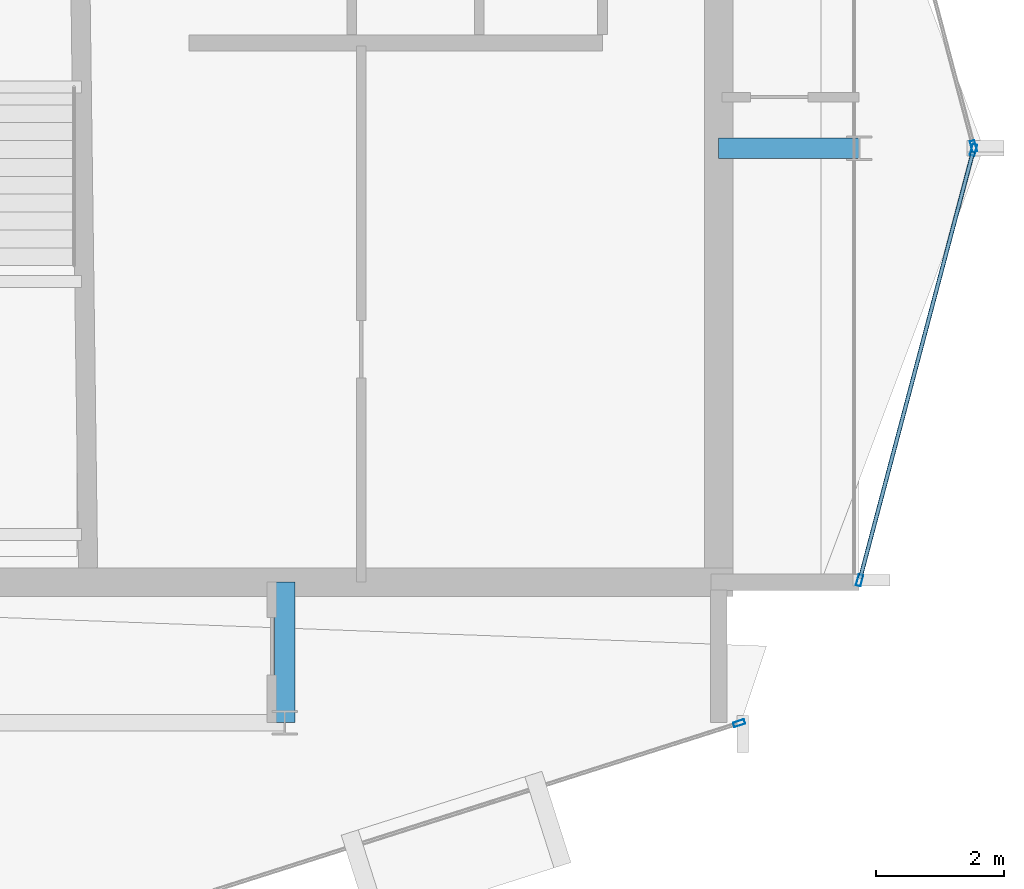
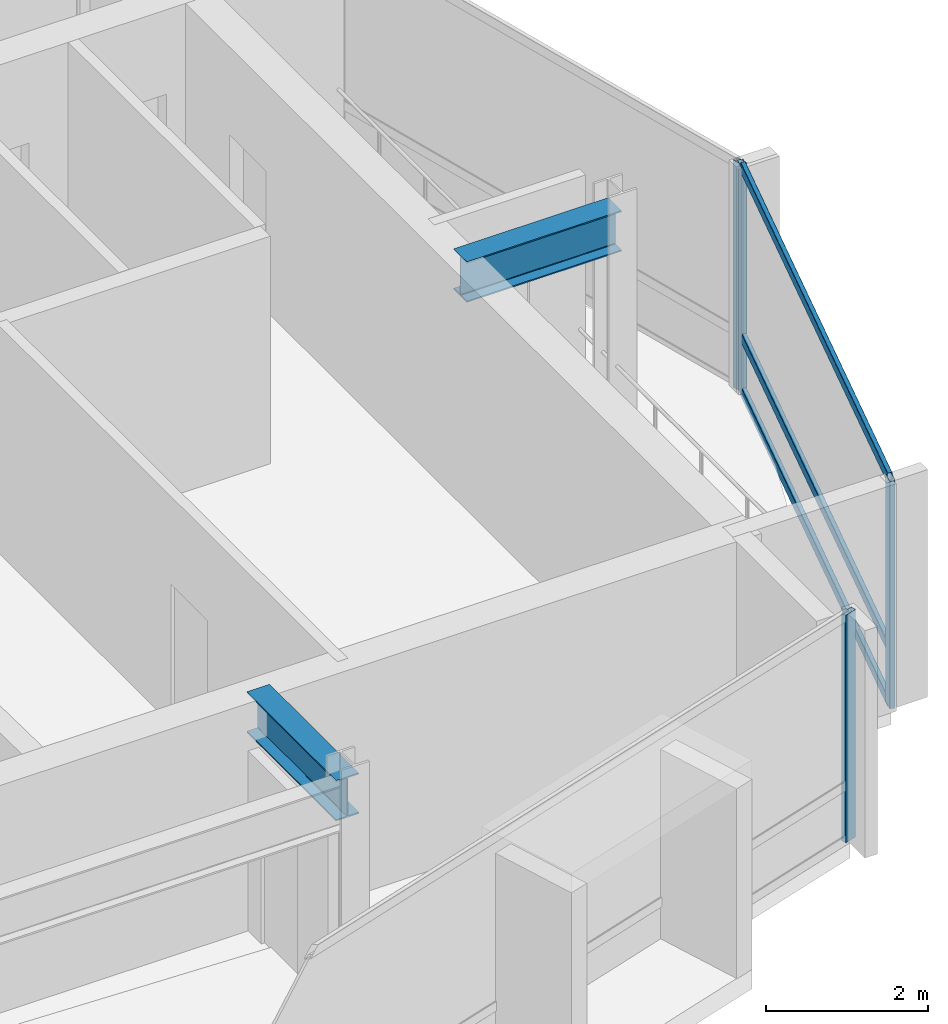
# One storey, part 9 of 19: 7 members, 2 beams, 3 elements without a shape of their own.
"""IFC4 building model written with IfcOpenShell, lengths in metres."""

from ifc_helpers import new_model, si_unit, direction, frame, origin, origin_2d, place, context, subcontext, project, spatial, hollow_rectangle, i_section, extrude, material, layer, layer_set, material_profile, profile_set, type_object, element, aggregate, save


model = new_model("IFC4")

# Units and contexts
model_context = context("Model", 3, precision=1e-05, world=origin(), true_north=direction((0.0, 1.0)))
body_context = subcontext(model_context, "Body", "Model", "MODEL_VIEW")
ifc_project = project(units=[si_unit("LENGTHUNIT", "METRE"), si_unit("AREAUNIT", "SQUARE_METRE"), si_unit("VOLUMEUNIT", "CUBIC_METRE"), si_unit("PLANEANGLEUNIT", "RADIAN"), si_unit("MASSUNIT", "GRAM", prefix="KILO")], contexts=[model_context])

# Site, building, storey
site_placement = place(None, origin())
site = spatial("IfcSite", under=ifc_project, at=site_placement, CompositionType="ELEMENT")
building_placement = place(site_placement, origin())
building = spatial("IfcBuilding", under=site, at=building_placement, Name="Solvaryn Broadcast Tower", CompositionType="ELEMENT")
storey_placement = place(building_placement, frame((0.0, 0.0, 263.0)))
storey = spatial("IfcBuildingStorey", under=building, at=storey_placement, Name="L66", CompositionType="ELEMENT", Elevation=263.0)

# Beams
ifc_material_1 = material(Name="Steel ASTM A992 Grade 50", Category="steel")
ifc_material_profile_1 = material_profile(ifc_material_1, i_section(OverallWidth=0.323974609375, OverallDepth=0.611083984375, WebThickness=0.0126953125, FlangeThickness=0.01904296875, FilletRadius=0.014892578125, at=origin_2d()))
ifc_profile_set_1 = profile_set([ifc_material_profile_1], Name="Steel ASTM A992 Grade 50")
beam_type = type_object("IfcBeamType", Name="BM-B1-W24X104", PredefinedType="BEAM", material=ifc_profile_set_1)
for number, where, z_axis, x_axis, name in (
    (1, (36.0, 9.0, 3.114501953125), (0.0, 1.0, 0.0), (-1.0, 0.0, 0.0), "L66 Core Tie Beam CTE1"),
    (2, (42.800048828125, 18.0, 3.114501953125), (1.0, 0.0, 0.0), (0.0, 1.0, 0.0), "L66 Core Tie Beam CTE3"),
):
    element("IfcBeam", number, at=place(storey_placement, frame(where, z_axis=z_axis, x_axis=x_axis)), inside=storey, type_object=beam_type, Name=name, PredefinedType="BEAM", context=body_context, shape_type="SweptSolid", body=[
        extrude(i_section(OverallWidth=0.323974609375, OverallDepth=0.611083984375, WebThickness=0.0126953125, FlangeThickness=0.01904296875, FilletRadius=0.014892578125, at=origin_2d()), origin(), (0.0, 0.0, 1.0), 2.199951171875),
    ])

# Curtain wall, member
ifc_material_2 = material(Name="Aluminium and Terracotta Unitised Curtain Wall", Category="masonry")
ifc_layer = layer(ifc_material_2, 0.199951171875)
ifc_layer_set = layer_set([ifc_layer], Name="CW-SYS2-LOWMID")
curtain_wall_type = type_object("IfcCurtainWallType", Name="CW-SYS2-LOWMID", PredefinedType="NOTDEFINED", material=ifc_layer_set)
curtain_wall_1_placement = place(storey_placement, origin())
curtain_wall_1 = element("IfcCurtainWall", 3, at=curtain_wall_1_placement, inside=storey, type_object=curtain_wall_type, Name="L66 Curtain Wall DR4", PredefinedType="NOTDEFINED")
ifc_material_3 = material(Name="Anodised Aluminium 6063-T6", Category="aluminium")
ifc_material_profile_2 = material_profile(ifc_material_3, hollow_rectangle(XDim=0.074951171875, YDim=0.179931640625, WallThickness=0.00390625, InnerFilletRadius=0.00390625, OuterFilletRadius=0.008056640625, at=origin_2d()))
ifc_profile_set_2 = profile_set([ifc_material_profile_2], Name="Anodised Aluminium 6063-T6")
member_type_1 = type_object("IfcMemberType", Name="CW-MUL-180", PredefinedType="MULLION", material=ifc_profile_set_2)
member_1_placement = place(storey_placement, frame((43.120361328125, 8.990966796875, 0.0), z_axis=(0.0, 0.0, 1.0), x_axis=(-0.30361564569, 0.952794594701, 0.0)))
member_1 = element("IfcMember", 4, at=member_1_placement, type_object=member_type_1, Name="CWS2 mullion 2", PredefinedType="MULLION", context=body_context, shape_type="SweptSolid", body=[
    extrude(hollow_rectangle(XDim=0.074951171875, YDim=0.179931640625, WallThickness=0.00390625, InnerFilletRadius=0.00390625, OuterFilletRadius=0.008056640625, at=origin_2d()), origin(), (0.0, 0.0, 1.0), 3.419921875),
])
aggregate(curtain_wall_1, [member_1])

curtain_wall_2_placement = place(storey_placement, origin())
curtain_wall_2 = element("IfcCurtainWall", 5, at=curtain_wall_2_placement, inside=storey, type_object=curtain_wall_type, Name="L66 Curtain Wall ET1", PredefinedType="NOTDEFINED")
member_2_placement = place(storey_placement, frame((46.792236328125, 18.029052734375, 0.0), z_axis=(0.0, 0.0, 1.0), x_axis=(0.966705227863, 0.25589256031, 0.0)))
member_2 = element("IfcMember", 6, at=member_2_placement, type_object=member_type_1, Name="CWS2 mullion 2", PredefinedType="MULLION", context=body_context, shape_type="SweptSolid", body=[
    extrude(hollow_rectangle(XDim=0.074951171875, YDim=0.179931640625, WallThickness=0.00390625, InnerFilletRadius=0.00390625, OuterFilletRadius=0.008056640625, at=origin_2d()), origin(), (0.0, 0.0, 1.0), 3.419921875),
])
aggregate(curtain_wall_2, [member_2])

# Curtain wall, members
curtain_wall_3_placement = place(storey_placement, origin())
curtain_wall_3 = element("IfcCurtainWall", 7, at=curtain_wall_3_placement, inside=storey, type_object=curtain_wall_type, Name="L66 Curtain Wall ET2", PredefinedType="NOTDEFINED")
member_3_placement = place(storey_placement, frame((46.792236328125, 17.970947265625, 0.0), z_axis=(0.0, 0.0, 1.0), x_axis=(0.966705227863, -0.25589256031, 0.0)))
member_3 = element("IfcMember", 8, at=member_3_placement, type_object=member_type_1, Name="CWS2 mullion 1", PredefinedType="MULLION", context=body_context, shape_type="SweptSolid", body=[
    extrude(hollow_rectangle(XDim=0.074951171875, YDim=0.179931640625, WallThickness=0.00390625, InnerFilletRadius=0.00390625, OuterFilletRadius=0.008056640625, at=origin_2d()), origin(), (0.0, 0.0, 1.0), 3.419921875),
])
member_4_placement = place(storey_placement, frame((45.007568359375, 11.22900390625, 0.0), z_axis=(0.0, 0.0, 1.0), x_axis=(0.966705227863, -0.25589256031, 0.0)))
member_4 = element("IfcMember", 9, at=member_4_placement, type_object=member_type_1, Name="CWS2 mullion 2", PredefinedType="MULLION", context=body_context, shape_type="SweptSolid", body=[
    extrude(hollow_rectangle(XDim=0.074951171875, YDim=0.179931640625, WallThickness=0.00390625, InnerFilletRadius=0.00390625, OuterFilletRadius=0.008056640625, at=origin_2d()), origin(), (0.0, 0.0, 1.0), 3.419921875),
])
ifc_material_4 = material(Name="Anodised Aluminium 6063-T6", Category="aluminium")
ifc_material_profile_3 = material_profile(ifc_material_4, hollow_rectangle(XDim=0.06494140625, YDim=0.14990234375, WallThickness=0.00390625, InnerFilletRadius=0.00390625, OuterFilletRadius=0.008056640625, at=origin_2d()))
ifc_profile_set_3 = profile_set([ifc_material_profile_3], Name="Anodised Aluminium 6063-T6")
member_type_2 = type_object("IfcMemberType", Name="CW-TRN-150", PredefinedType="USERDEFINED", material=ifc_profile_set_3)
member_5_placement = place(storey_placement, frame((46.78466796875, 17.94189453125, 0.030029296875), z_axis=(-0.255897413051, -0.966703943301, 0.0), x_axis=(0.966703943301, -0.255897413051, 0.0)))
member_5 = element("IfcMember", 10, at=member_5_placement, type_object=member_type_2, Name="CWS2 transom 1.1", ObjectType="TRANSOM", PredefinedType="USERDEFINED", context=body_context, shape_type="SweptSolid", body=[
    extrude(hollow_rectangle(XDim=0.06494140625, YDim=0.14990234375, WallThickness=0.00390625, InnerFilletRadius=0.00390625, OuterFilletRadius=0.008056640625, at=origin_2d()), origin(), (0.0, 0.0, 1.0), 6.9140625),
])
member_6_placement = place(storey_placement, frame((46.78466796875, 17.94189453125, 0.85009765625), z_axis=(-0.255897413051, -0.966703943301, 0.0), x_axis=(0.966703943301, -0.255897413051, 0.0)))
member_6 = element("IfcMember", 11, at=member_6_placement, type_object=member_type_2, Name="CWS2 transom 1.2", ObjectType="TRANSOM", PredefinedType="USERDEFINED", context=body_context, shape_type="SweptSolid", body=[
    extrude(hollow_rectangle(XDim=0.06494140625, YDim=0.14990234375, WallThickness=0.00390625, InnerFilletRadius=0.00390625, OuterFilletRadius=0.008056640625, at=origin_2d()), origin(), (0.0, 0.0, 1.0), 6.9140625),
])
member_7_placement = place(storey_placement, frame((46.78466796875, 17.94189453125, 3.389892578125), z_axis=(-0.255897413051, -0.966703943301, 0.0), x_axis=(0.966703943301, -0.255897413051, 0.0)))
member_7 = element("IfcMember", 12, at=member_7_placement, type_object=member_type_2, Name="CWS2 transom 1.3", ObjectType="TRANSOM", PredefinedType="USERDEFINED", context=body_context, shape_type="SweptSolid", body=[
    extrude(hollow_rectangle(XDim=0.06494140625, YDim=0.14990234375, WallThickness=0.00390625, InnerFilletRadius=0.00390625, OuterFilletRadius=0.008056640625, at=origin_2d()), origin(), (0.0, 0.0, 1.0), 6.9140625),
])
aggregate(curtain_wall_3, [member_3, member_4, member_5, member_6, member_7])

save(model, "model.ifc")
